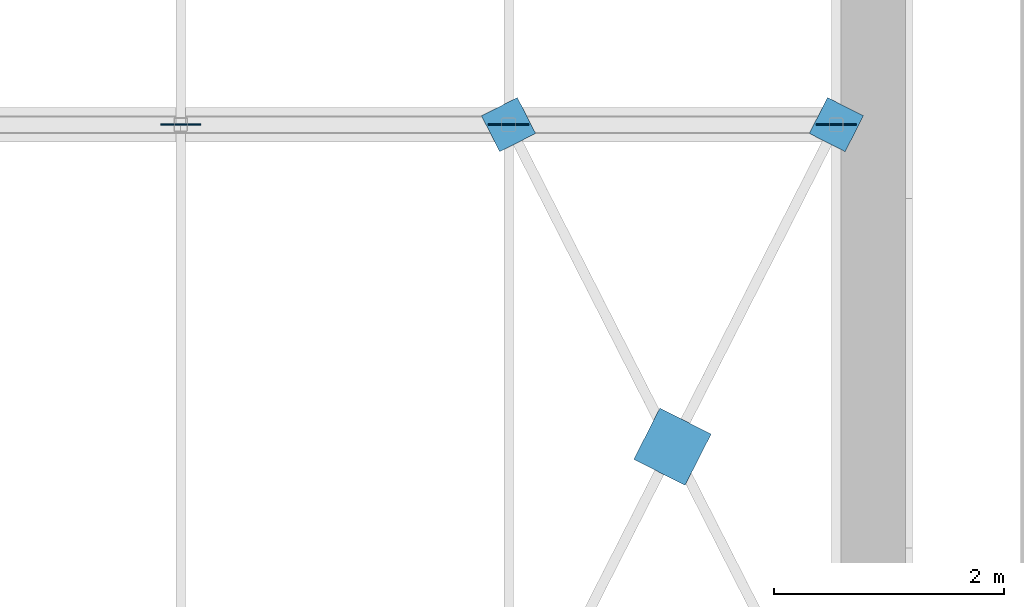
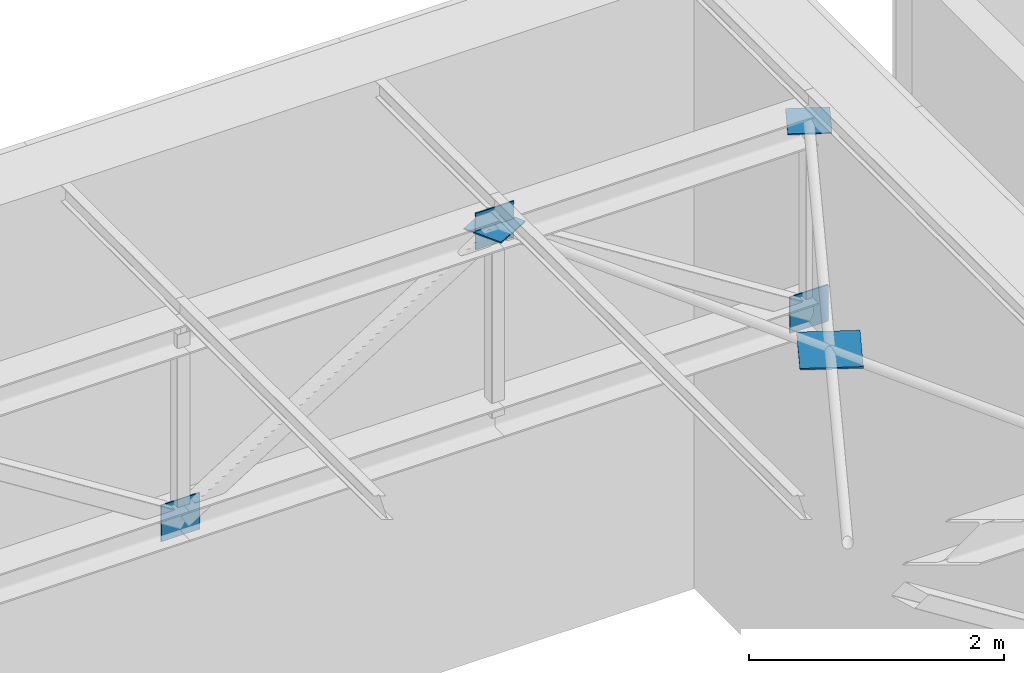
# One storey, part 52 of 55: 6 discrete accessories.
"""IFC4 building model written with IfcOpenShell, lengths in metres."""

from ifc_helpers import new_model, si_unit, direction, frame, origin, origin_2d, place, context, subcontext, project, spatial, rectangle, extrude, material, layer, layer_set, type_object, element, save


model = new_model("IFC4")

# Units and contexts
model_context = context("Model", 3, precision=1e-05, world=origin(), true_north=direction((0.0, 1.0)))
body_context = subcontext(model_context, "Body", "Model", "MODEL_VIEW")
ifc_project = project(units=[si_unit("LENGTHUNIT", "METRE"), si_unit("AREAUNIT", "SQUARE_METRE"), si_unit("VOLUMEUNIT", "CUBIC_METRE"), si_unit("PLANEANGLEUNIT", "RADIAN"), si_unit("MASSUNIT", "GRAM", prefix="KILO")], contexts=[model_context])

# Site, building, storey
site_placement = place(None, origin())
site = spatial("IfcSite", under=ifc_project, at=site_placement, CompositionType="ELEMENT")
building_placement = place(site_placement, origin())
building = spatial("IfcBuilding", under=site, at=building_placement, Name="Lunette Opera House", CompositionType="ELEMENT")
storey_placement = place(building_placement, frame((0.0, 0.0, 34.0)))
storey = spatial("IfcBuildingStorey", under=building, at=storey_placement, Name="L06", CompositionType="ELEMENT", Elevation=34.0)

# Discrete accessories
ifc_material_1 = material(Name="Steel S355", Category="steel")
ifc_layer_1 = layer(ifc_material_1, 0.011962890625)
ifc_layer_set_1 = layer_set([ifc_layer_1], Name="Steel S355")
discrete_accessory_type_1 = type_object("IfcDiscreteAccessoryType", Name="BRACE GUSSET PLATE 12", PredefinedType="USERDEFINED", material=ifc_layer_set_1)
for number, where, z_axis, x_axis, name in (
    (1, (101.699951171875, 133.60009765625, 3.599853515625), (0.0, 0.0, 1.0), (1.0, 0.0, 0.0), "Gusset plate 176"),
    (2, (104.550048828125, 133.60009765625, 5.39990234375), (0.0, 0.0, 1.0), (1.0, 0.0, 0.0), "Gusset plate 177"),
    (3, (107.39990234375, 133.60009765625, 3.599853515625), (0.0, 0.0, 1.0), (1.0, 0.0, 0.0), "Gusset plate 178"),
):
    element("IfcDiscreteAccessory", number, at=place(storey_placement, frame(where, z_axis=z_axis, x_axis=x_axis)), inside=storey, type_object=discrete_accessory_type_1, Name=name, ObjectType="GUSSET PLATE", PredefinedType="USERDEFINED", context=body_context, shape_type="SweptSolid", body=[
        extrude(rectangle(XDim=0.35009765625, YDim=0.011962890625, at=origin_2d()), origin(), (0.0, 0.0, 1.0), 0.35009765625),
    ])
for number, where, z_axis, x_axis, name in (
    (4, (107.39990234375, 133.60009765625, 5.56884765625), (0.0, 0.0, 1.0), (0.453567461466, 0.891221946487, 0.0), "Gusset plate 186"),
    (5, (104.550048828125, 133.60009765625, 5.56884765625), (0.0, 0.0, 1.0), (-0.453567461466, 0.891221946487, 0.0), "Gusset plate 349"),
):
    element("IfcDiscreteAccessory", number, at=place(storey_placement, frame(where, z_axis=z_axis, x_axis=x_axis)), inside=storey, type_object=discrete_accessory_type_1, Name=name, ObjectType="GUSSET PLATE", PredefinedType="USERDEFINED", context=body_context, shape_type="SweptSolid", body=[
        extrude(rectangle(XDim=0.35009765625, YDim=0.35009765625, at=origin_2d()), origin(), (0.0, 0.0, 1.0), 0.011962890625),
    ])
ifc_material_2 = material(Name="Steel S355", Category="steel")
ifc_layer_2 = layer(ifc_material_2, 0.01611328125)
ifc_layer_set_2 = layer_set([ifc_layer_2], Name="Steel S355")
discrete_accessory_type_2 = type_object("IfcDiscreteAccessoryType", Name="X-BRACE NODE PLATE 16", PredefinedType="USERDEFINED", material=ifc_layer_set_2)
discrete_accessory_placement = place(storey_placement, frame((105.97509765625, 130.800048828125, 5.56689453125), z_axis=(0.0, 0.0, 1.0), x_axis=(0.453567461466, 0.891221946487, 0.0)))
element("IfcDiscreteAccessory", 6, at=discrete_accessory_placement, inside=storey, type_object=discrete_accessory_type_2, Name="X-brace node plate 12", ObjectType="NODE PLATE", PredefinedType="USERDEFINED", context=body_context, shape_type="SweptSolid", body=[
    extrude(rectangle(XDim=0.5, YDim=0.5, at=origin_2d()), origin(), (0.0, 0.0, 1.0), 0.01611328125),
])

save(model, "model.ifc")
